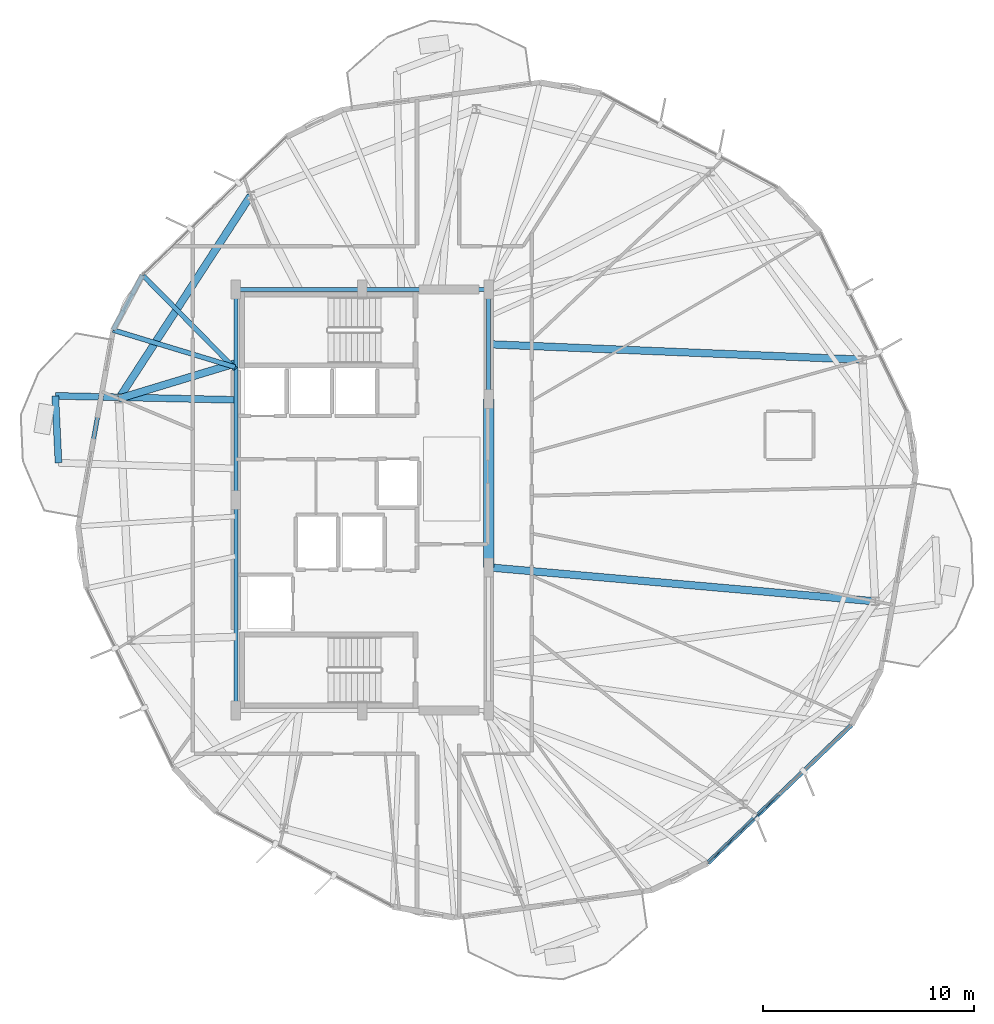
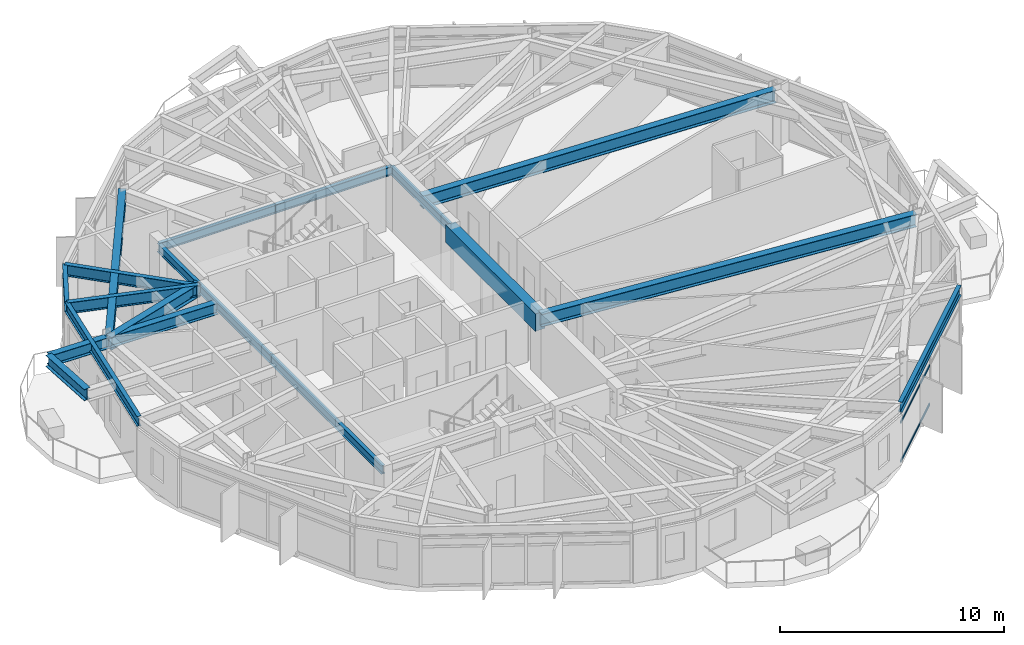
# One storey, part 9 of 26: 17 beams, 3 members, 1 element without a shape of its own.
"""IFC4 building model written with IfcOpenShell, lengths in metres."""

import ifcopenshell
import ifcopenshell.guid

model = None  # the IFC model being written
_history = None  # IfcOwnerHistory: only IFC2X3 demands one
_inside = {}  # id of a spatial element -> (the spatial element, [elements in it])
_under = {}  # id of a project, library or spatial element -> (it, [spatial elements below it])
_declared = {}  # id of a project -> (the project, [libraries it declares])
_typed = {}  # id of a type object -> (the type object, [elements of that type])
_made_of = {}  # id of a material, layer set ... -> (it, [elements and type objects made of it])


def new_model(schema):
    """Start an empty IFC model of exactly this schema.

    Asked for "IFC4X3", IfcOpenShell would pick the latest addendum, in which some entities
    have other attributes; the version numbers below select the first issue.
    IFC2X3 requires an IfcOwnerHistory on every rooted entity: one is made here for all.
    """
    global model, _history
    if schema == "IFC4X3":
        model = ifcopenshell.file(schema_version=(4, 3, 0, 0))
    else:
        model = ifcopenshell.file(schema=schema)
    _inside.clear()
    _under.clear()
    _declared.clear()
    _typed.clear()
    _made_of.clear()
    _history = None
    if model.schema == "IFC2X3":
        org = make("IfcOrganization", Name="unknown")
        user = make(
            "IfcPersonAndOrganization",
            ThePerson=make("IfcPerson", FamilyName="unknown"),
            TheOrganization=org,
        )
        app = make(
            "IfcApplication",
            ApplicationDeveloper=org,
            Version="unknown",
            ApplicationFullName="unknown",
            ApplicationIdentifier="unknown",
        )
        _history = make(
            "IfcOwnerHistory",
            OwningUser=user,
            OwningApplication=app,
            ChangeAction="ADDED",
            CreationDate=0,
        )
    return model


def make(cls, **values):
    """One entity of the class cls with the attributes given. An attribute that is None is left unset."""
    return model.create_entity(
        cls, **{name: value for name, value in values.items() if value is not None}
    )


def rooted(cls, **values):
    """An entity with a GlobalId (a new one), such as an element, a storey or a relation."""
    return make(cls, GlobalId=ifcopenshell.guid.new(), OwnerHistory=_history, **values)


def si_unit(unit_type, name, prefix=None):
    """IfcSIUnit, for example si_unit("LENGTHUNIT", "METRE", prefix="MILLI")."""
    return make("IfcSIUnit", UnitType=unit_type, Prefix=prefix, Name=name)


def assignment(units):
    """IfcUnitAssignment: the units of a project."""
    return None if units is None else make("IfcUnitAssignment", Units=units)


def point(xyz):
    """IfcCartesianPoint."""
    return None if xyz is None else make("IfcCartesianPoint", Coordinates=xyz)


def direction(xyz):
    """IfcDirection."""
    return None if xyz is None else make("IfcDirection", DirectionRatios=xyz)


def frame(location, z_axis=None, x_axis=None):
    """IfcAxis2Placement3D, a coordinate frame: its origin and axes. An axis left out is left unset."""
    return make(
        "IfcAxis2Placement3D",
        Location=point(location),
        Axis=direction(z_axis),
        RefDirection=direction(x_axis),
    )


def frame_2d(location, x_axis=None):
    """IfcAxis2Placement2D, a coordinate frame in the plane: its origin and x axis."""
    return make(
        "IfcAxis2Placement2D", Location=point(location), RefDirection=direction(x_axis)
    )


def origin():
    """The frame at (0, 0, 0) with its axes left unset."""
    return frame((0.0, 0.0, 0.0))


def origin_2d():
    """The frame at (0, 0) in the plane with its x axis left unset."""
    return frame_2d((0.0, 0.0))


def place(relative_to, where):
    """IfcLocalPlacement: puts the frame where relative to a parent placement (None: the world)."""
    return make(
        "IfcLocalPlacement", PlacementRelTo=relative_to, RelativePlacement=where
    )


def context(
    kind, dimensions, precision=None, world=None, true_north=None, identifier=None
):
    """IfcGeometricRepresentationContext, for example the 3D "Model" context."""
    return make(
        "IfcGeometricRepresentationContext",
        ContextIdentifier=identifier,
        ContextType=kind,
        CoordinateSpaceDimension=dimensions,
        Precision=precision,
        WorldCoordinateSystem=world,
        TrueNorth=true_north,
    )


def subcontext(parent, identifier, kind, view, scale=None):
    """IfcGeometricRepresentationSubContext, for example "Body" below "Model"."""
    return make(
        "IfcGeometricRepresentationSubContext",
        ContextIdentifier=identifier,
        ContextType=kind,
        ParentContext=parent,
        TargetScale=scale,
        TargetView=view,
    )


def project(units=None, contexts=None):
    """IfcProject with its units and contexts."""
    return rooted(
        "IfcProject",
        Name="project",
        RepresentationContexts=contexts,
        UnitsInContext=assignment(units),
    )


def spatial(cls, under=None, at=None, **own):
    """A site, building, storey or space (cls), placed at a placement, below another one or the project."""
    s = rooted(cls, ObjectPlacement=at, **own)
    if under is not None:
        _under.setdefault(under.id(), (under, []))[1].append(s)
    return s


def profile(cls, at=None, kind="AREA", **sizes):
    """A parametric profile (cls). Its sizes go by their IFC names, for example OverallWidth=200.0."""
    return make(cls, ProfileType=kind, Position=at, **sizes)


def rectangle(**sizes):
    """IfcRectangleProfileDef."""
    return profile("IfcRectangleProfileDef", **sizes)


def hollow_rectangle(**sizes):
    """IfcRectangleHollowProfileDef."""
    return profile("IfcRectangleHollowProfileDef", **sizes)


def i_section(**sizes):
    """IfcIShapeProfileDef."""
    return profile("IfcIShapeProfileDef", **sizes)


def extrude(swept, where, along, depth):
    """IfcExtrudedAreaSolid: the profile swept, set in the frame where, extruded along a direction by depth."""
    return make(
        "IfcExtrudedAreaSolid",
        SweptArea=swept,
        Position=where,
        ExtrudedDirection=direction(along),
        Depth=depth,
    )


def shape(context_of_items, identifier, shape_type, items):
    """IfcShapeRepresentation: the items that make up one representation, for example the "Body"."""
    return make(
        "IfcShapeRepresentation",
        ContextOfItems=context_of_items,
        RepresentationIdentifier=identifier,
        RepresentationType=shape_type,
        Items=items,
    )


def material(Name=None, Category=None):
    """IfcMaterial."""
    return make("IfcMaterial", Name=Name, Category=Category)


def layer(
    of_material, thickness, ventilated=None, Name=None, Category=None, Priority=None
):
    """IfcMaterialLayer: one layer of a wall or slab, of a material (None: an air gap)."""
    return make(
        "IfcMaterialLayer",
        Material=of_material,
        LayerThickness=thickness,
        IsVentilated=ventilated,
        Name=Name,
        Category=Category,
        Priority=Priority,
    )


def layer_set(layers, Name=None):
    """IfcMaterialLayerSet."""
    return make("IfcMaterialLayerSet", MaterialLayers=layers, LayerSetName=Name)


def material_profile(
    of_material, cross_section, Name=None, Category=None, Priority=None
):
    """IfcMaterialProfile: a cross section and its material."""
    return make(
        "IfcMaterialProfile",
        Name=Name,
        Material=of_material,
        Profile=cross_section,
        Priority=Priority,
        Category=Category,
    )


def profile_set(profiles, Name=None, composite=None):
    """IfcMaterialProfileSet."""
    return make(
        "IfcMaterialProfileSet",
        Name=Name,
        MaterialProfiles=profiles,
        CompositeProfile=composite,
    )


def made_of(thing, what):
    """Note that an element or type object is made of a material, layer set ...; save() writes the relation."""
    if what is not None:
        _made_of.setdefault(what.id(), (what, []))[1].append(thing)
    return thing


def type_object(cls, material=None, **own):
    """A type object (cls), such as IfcWallType, which elements share."""
    return made_of(rooted(cls, **own), material)


def element(
    cls,
    number,
    at=None,
    inside=None,
    cuts=None,
    type_object=None,
    material=None,
    context=None,
    identifier="Body",
    shape_type=None,
    held_by="IfcProductDefinitionShape",
    body=None,
    shapes=None,
    **own,
):
    """One element of the class cls, such as IfcWall. Its Tag is "e" and its number.

    at: its placement. inside: the storey or other place that contains it. cuts: it is an
    opening in that element (IfcRelVoidsElement). A single representation is given by context,
    identifier, shape_type and body (its items); several are given by shapes. held_by: the class
    of the entity that holds the representations. save() writes the other relations.
    """
    e = rooted(cls, Tag="e%d" % number, ObjectPlacement=at, **own)
    if body is not None:
        shapes = [shape(context, identifier, shape_type, body)]
    if shapes is not None:
        e.Representation = make(held_by, Representations=shapes)
    if inside is not None:
        _inside.setdefault(inside.id(), (inside, []))[1].append(e)
    if cuts is not None:
        rooted(
            "IfcRelVoidsElement", RelatingBuildingElement=cuts, RelatedOpeningElement=e
        )
    if type_object is not None:
        _typed.setdefault(type_object.id(), (type_object, []))[1].append(e)
    return made_of(e, material)


def aggregate(whole, parts):
    """IfcRelAggregates: a whole, such as a stair, and the parts it consists of."""
    return rooted("IfcRelAggregates", RelatingObject=whole, RelatedObjects=parts)


def save(model, path):
    """Write the relations noted so far, then the file.

    IfcRelAggregates (storeys below a building ...), IfcRelContainedInSpatialStructure (elements
    in a storey), IfcRelDefinesByType, IfcRelAssociatesMaterial and IfcRelDeclares: one each for
    every whole, place, type object, material and project.
    """
    for whole, parts in _under.values():
        aggregate(whole, parts)
    for where, things in _inside.values():
        rooted(
            "IfcRelContainedInSpatialStructure",
            RelatedElements=things,
            RelatingStructure=where,
        )
    for kind, things in _typed.values():
        rooted("IfcRelDefinesByType", RelatedObjects=things, RelatingType=kind)
    for what, things in _made_of.values():
        rooted("IfcRelAssociatesMaterial", RelatedObjects=things, RelatingMaterial=what)
    for by, libraries in _declared.values():
        rooted("IfcRelDeclares", RelatingContext=by, RelatedDefinitions=libraries)
    model.write(path)


model = new_model("IFC4")

# Units and contexts
model_context = context("Model", 3, precision=1e-05, world=origin(), true_north=direction((0.0, 1.0)))
body_context = subcontext(model_context, "Body", "Model", "MODEL_VIEW")
ifc_project = project(units=[si_unit("LENGTHUNIT", "METRE"), si_unit("AREAUNIT", "SQUARE_METRE"), si_unit("VOLUMEUNIT", "CUBIC_METRE"), si_unit("PLANEANGLEUNIT", "RADIAN"), si_unit("MASSUNIT", "GRAM", prefix="KILO")], contexts=[model_context])

# Site, building, storey
site_placement = place(None, origin())
site = spatial("IfcSite", under=ifc_project, at=site_placement, CompositionType="ELEMENT")
building_placement = place(site_placement, origin())
building = spatial("IfcBuilding", under=site, at=building_placement, Name="Soratama Intermodal Tower", CompositionType="ELEMENT")
storey_placement = place(building_placement, frame((0.0, 0.0, 194.199951171875)))
storey = spatial("IfcBuildingStorey", under=building, at=storey_placement, Name="L48", CompositionType="ELEMENT", Elevation=194.199951171875)

# Beams
ifc_material_1 = material(Name="Structural steel ASTM A992 Grade 50", Category="steel")
ifc_material_profile_1 = material_profile(ifc_material_1, i_section(OverallWidth=0.324951171875, OverallDepth=0.615966796875, WebThickness=0.013916015625, FlangeThickness=0.021484375, FilletRadius=0.013916015625, at=origin_2d()), Name="W24X117")
ifc_profile_set_1 = profile_set([ifc_material_profile_1], Name="Structural steel ASTM A992 Grade 50")
beam_type_1 = type_object("IfcBeamType", Name="BM-CANT-W24X117", PredefinedType="BEAM", material=ifc_profile_set_1)
beam_1_placement = place(storey_placement, frame((24.01708984375, 29.946044921875, 2.991943359375), z_axis=(0.047714580193, -0.99886101077, 0.0), x_axis=(0.99886101077, 0.047714580193, 0.0)))
element("IfcBeam", 1, at=beam_1_placement, inside=storey, type_object=beam_type_1, Name="BM-L48-CBHDR-3", PredefinedType="BEAM", context=body_context, shape_type="SweptSolid", body=[
    extrude(i_section(OverallWidth=0.324951171875, OverallDepth=0.615966796875, WebThickness=0.013916015625, FlangeThickness=0.021484375, FilletRadius=0.013916015625, at=origin_2d()), origin(), (0.0, 0.0, 1.0), 3.1826171875),
])
beam_2_placement = place(storey_placement, frame((32.56005859375, 29.757080078125, 2.991943359375), z_axis=(-0.999755457095, 0.022113932436, 0.0), x_axis=(-0.022113932436, -0.999755457095, 0.0)))
element("IfcBeam", 2, at=beam_2_placement, inside=storey, type_object=beam_type_1, Name="BM-L48-CANT-3-1", PredefinedType="BEAM", context=body_context, shape_type="SweptSolid", body=[
    extrude(i_section(OverallWidth=0.324951171875, OverallDepth=0.615966796875, WebThickness=0.013916015625, FlangeThickness=0.021484375, FilletRadius=0.013916015625, at=origin_2d()), origin(), (0.0, 0.0, 1.0), 8.545166015625),
])
ifc_material_2 = material(Name="Concrete f'c 56 MPa", Category="concrete")
ifc_material_profile_2 = material_profile(ifc_material_2, rectangle(XDim=0.5, YDim=0.949951171875, at=origin_2d()), Name="RC500X950")
ifc_profile_set_2 = profile_set([ifc_material_profile_2], Name="Concrete f'c 56 MPa")
beam_type_2 = type_object("IfcBeamType", Name="BM-CPL-RC500X950", PredefinedType="BEAM", material=ifc_profile_set_2)
beam_3_placement = place(storey_placement, frame((44.60009765625, 21.800048828125, 2.824951171875), z_axis=(0.0, 1.0, 0.0), x_axis=(-1.0, 0.0, 0.0)))
element("IfcBeam", 3, at=beam_3_placement, inside=storey, type_object=beam_type_2, Name="L48 Core Coupling Beam East", PredefinedType="BEAM", context=body_context, shape_type="SweptSolid", body=[
    extrude(rectangle(XDim=0.5, YDim=0.949951171875, at=origin_2d()), origin(), (0.0, 0.0, 1.0), 8.0),
])
ifc_material_3 = material(Name="Structural steel ASTM A992 Grade 50", Category="steel")
ifc_material_profile_3 = material_profile(ifc_material_3, i_section(OverallWidth=0.19091796875, OverallDepth=0.4599609375, WebThickness=0.010009765625, FlangeThickness=0.01611328125, FilletRadius=0.010986328125, at=origin_2d()), Name="W18X55")
ifc_profile_set_3 = profile_set([ifc_material_profile_3], Name="Structural steel ASTM A992 Grade 50")
beam_type_3 = type_object("IfcBeamType", Name="BM-FLR-W18X55", PredefinedType="BEAM", material=ifc_profile_set_3)
beam_4_placement = place(storey_placement, frame((44.60009765625, 29.800048828125, 3.070068359375), z_axis=(0.0, 1.0, 0.0), x_axis=(-1.0, 0.0, 0.0)))
element("IfcBeam", 4, at=beam_4_placement, inside=storey, type_object=beam_type_3, Name="BM-L48-CRING-05", PredefinedType="BEAM", context=body_context, shape_type="SweptSolid", body=[
    extrude(i_section(OverallWidth=0.19091796875, OverallDepth=0.4599609375, WebThickness=0.010009765625, FlangeThickness=0.01611328125, FilletRadius=0.010986328125, at=origin_2d()), origin(), (0.0, 0.0, 1.0), 5.199951171875),
])
for number, where, z_axis, x_axis, name in (
    (5, (44.60009765625, 35.0, 3.070068359375), (-1.0, 0.0, 0.0), (0.0, -1.0, 0.0), "BM-L48-CRING-06"),
    (6, (38.60009765625, 35.0, 3.070068359375), (-1.0, 0.0, 0.0), (0.0, -1.0, 0.0), "BM-L48-CRING-07"),
):
    element("IfcBeam", number, at=place(storey_placement, frame(where, z_axis=z_axis, x_axis=x_axis)), inside=storey, type_object=beam_type_3, Name=name, PredefinedType="BEAM", context=body_context, shape_type="SweptSolid", body=[
        extrude(i_section(OverallWidth=0.19091796875, OverallDepth=0.4599609375, WebThickness=0.010009765625, FlangeThickness=0.01611328125, FilletRadius=0.010986328125, at=origin_2d()), origin(), (0.0, 0.0, 1.0), 6.0),
    ])
for number, where, z_axis, x_axis, name in (
    (7, (32.60009765625, 35.0, 3.070068359375), (0.0, -1.0, 0.0), (1.0, 0.0, 0.0), "BM-L48-CRING-08"),
    (8, (32.60009765625, 25.0, 3.070068359375), (0.0, -1.0, 0.0), (1.0, 0.0, 0.0), "BM-L48-CRING-09"),
):
    element("IfcBeam", number, at=place(storey_placement, frame(where, z_axis=z_axis, x_axis=x_axis)), inside=storey, type_object=beam_type_3, Name=name, PredefinedType="BEAM", context=body_context, shape_type="SweptSolid", body=[
        extrude(i_section(OverallWidth=0.19091796875, OverallDepth=0.4599609375, WebThickness=0.010009765625, FlangeThickness=0.01611328125, FilletRadius=0.010986328125, at=origin_2d()), origin(), (0.0, 0.0, 1.0), 10.0),
    ])
ifc_material_4 = material(Name="Structural steel ASTM A992 Grade 50", Category="steel")
ifc_material_profile_4 = material_profile(ifc_material_4, i_section(OverallWidth=0.35498046875, OverallDepth=0.695068359375, WebThickness=0.015380859375, FlangeThickness=0.02490234375, FilletRadius=0.01611328125, at=origin_2d()), Name="W27X146")
ifc_profile_set_4 = profile_set([ifc_material_profile_4], Name="Structural steel ASTM A992 Grade 50")
beam_type_4 = type_object("IfcBeamType", Name="BM-RING-W27X146", PredefinedType="BEAM", material=ifc_profile_set_4)
beam_5_placement = place(storey_placement, frame((33.294921875, 39.455078125, 2.95263671875), z_axis=(-0.544637453764, -0.83867159482, 0.0), x_axis=(0.83867159482, -0.544637453764, 0.0)))
element("IfcBeam", 9, at=beam_5_placement, inside=storey, type_object=beam_type_4, Name="BM-L48-RING-04", PredefinedType="BEAM", context=body_context, shape_type="SweptSolid", body=[
    extrude(i_section(OverallWidth=0.35498046875, OverallDepth=0.695068359375, WebThickness=0.015380859375, FlangeThickness=0.02490234375, FilletRadius=0.01611328125, at=origin_2d()), origin(), (0.0, 0.0, 1.0), 11.49560546875),
])
beam_6_placement = place(storey_placement, frame((44.60009765625, 32.39990234375, 2.95263671875), z_axis=(0.999147788389, -0.041275864109, 0.0), x_axis=(0.041275864109, 0.999147788389, 0.0)))
element("IfcBeam", 10, at=beam_6_placement, inside=storey, type_object=beam_type_4, Name="BM-L48-RAD-01", PredefinedType="BEAM", context=body_context, shape_type="SweptSolid", body=[
    extrude(i_section(OverallWidth=0.35498046875, OverallDepth=0.695068359375, WebThickness=0.015380859375, FlangeThickness=0.02490234375, FilletRadius=0.01611328125, at=origin_2d()), origin(), (0.0, 0.0, 1.0), 17.780029296875),
])
beam_7_placement = place(storey_placement, frame((32.60009765625, 31.5, 2.95263671875), z_axis=(-0.957056879321, -0.289900206526, 0.0), x_axis=(0.289900206526, -0.957056879321, 0.0)))
element("IfcBeam", 11, at=beam_7_placement, inside=storey, type_object=beam_type_4, Name="BM-L48-RAD-05", PredefinedType="BEAM", context=body_context, shape_type="SweptSolid", body=[
    extrude(i_section(OverallWidth=0.35498046875, OverallDepth=0.695068359375, WebThickness=0.015380859375, FlangeThickness=0.02490234375, FilletRadius=0.01611328125, at=origin_2d()), origin(), (0.0, 0.0, 1.0), 5.81591796875),
])
beam_8_placement = place(storey_placement, frame((44.60009765625, 21.800048828125, 2.95263671875), z_axis=(0.996160716813, -0.087543282317, 0.0), x_axis=(0.087543282317, 0.996160716813, 0.0)))
element("IfcBeam", 12, at=beam_8_placement, inside=storey, type_object=beam_type_4, Name="BM-L48-RAD-10", PredefinedType="BEAM", context=body_context, shape_type="SweptSolid", body=[
    extrude(i_section(OverallWidth=0.35498046875, OverallDepth=0.695068359375, WebThickness=0.015380859375, FlangeThickness=0.02490234375, FilletRadius=0.01611328125, at=origin_2d()), origin(), (0.0, 0.0, 1.0), 18.436767578125),
])
ifc_material_5 = material(Name="Structural steel ASTM A992 Grade 50", Category="steel")
ifc_material_profile_5 = material_profile(ifc_material_5, i_section(OverallWidth=0.2099609375, OverallDepth=0.537109375, WebThickness=0.010986328125, FlangeThickness=0.017333984375, FilletRadius=0.012939453125, at=origin_2d()), Name="W21X68")
ifc_profile_set_5 = profile_set([ifc_material_profile_5], Name="Structural steel ASTM A992 Grade 50")
beam_type_5 = type_object("IfcBeamType", Name="BM-SPN-W21X68", PredefinedType="SPANDREL", material=ifc_profile_set_5)
beam_9_placement = place(storey_placement, frame((28.160888671875, 35.68798828125, 3.031494140625), z_axis=(-0.471707327185, -0.881755180013, 0.0), x_axis=(0.881755180013, -0.471707327185, 0.0)))
element("IfcBeam", 13, at=beam_9_placement, inside=storey, type_object=beam_type_5, Name="BS-L48-CRN03", PredefinedType="SPANDREL", context=body_context, shape_type="SweptSolid", body=[
    extrude(i_section(OverallWidth=0.2099609375, OverallDepth=0.537109375, WebThickness=0.010986328125, FlangeThickness=0.017333984375, FilletRadius=0.012939453125, at=origin_2d()), origin(), (0.0, 0.0, 1.0), 2.965576171875),
])
beam_10_placement = place(storey_placement, frame((26.761962890625, 33.072998046875, 3.031494140625), z_axis=(-0.176094832495, -0.984373206649, 0.0), x_axis=(0.984373206649, -0.176094832495, 0.0)))
element("IfcBeam", 14, at=beam_10_placement, inside=storey, type_object=beam_type_5, Name="BS-L48-F04", PredefinedType="SPANDREL", context=body_context, shape_type="SweptSolid", body=[
    extrude(i_section(OverallWidth=0.2099609375, OverallDepth=0.537109375, WebThickness=0.010986328125, FlangeThickness=0.017333984375, FilletRadius=0.012939453125, at=origin_2d()), origin(), (0.0, 0.0, 1.0), 9.471923828125),
])
beam_11_placement = place(storey_placement, frame((55.010009765625, 7.7490234375, 3.031494140625), z_axis=(0.72101531682, 0.692919124365, 0.0), x_axis=(-0.692919124365, 0.72101531682, 0.0)))
element("IfcBeam", 15, at=beam_11_placement, inside=storey, type_object=beam_type_5, Name="BS-L48-F08", PredefinedType="SPANDREL", context=body_context, shape_type="SweptSolid", body=[
    extrude(i_section(OverallWidth=0.2099609375, OverallDepth=0.537109375, WebThickness=0.010986328125, FlangeThickness=0.017333984375, FilletRadius=0.012939453125, at=origin_2d()), origin(), (0.0, 0.0, 1.0), 9.471435546875),
])
ifc_material_6 = material(Name="Structural steel ASTM A992 Grade 50", Category="steel")
ifc_material_profile_6 = material_profile(ifc_material_6, i_section(OverallWidth=0.22900390625, OverallDepth=0.612060546875, WebThickness=0.011962890625, FlangeThickness=0.01953125, FilletRadius=0.012939453125, at=origin_2d()), Name="W24X84")
ifc_profile_set_6 = profile_set([ifc_material_profile_6], Name="Structural steel ASTM A992 Grade 50")
beam_type_6 = type_object("IfcBeamType", Name="BM-TIE-W24X84", PredefinedType="BEAM", material=ifc_profile_set_6)
beam_12_placement = place(storey_placement, frame((32.572021484375, 31.215087890625, 2.994140625), z_axis=(-0.702173543751, 0.712005838779, 0.0), x_axis=(-0.712005838779, -0.702173543751, 0.0)))
element("IfcBeam", 16, at=beam_12_placement, inside=storey, type_object=beam_type_6, Name="BM-L48-TIE1-03", PredefinedType="BEAM", context=body_context, shape_type="SweptSolid", body=[
    extrude(i_section(OverallWidth=0.22900390625, OverallDepth=0.612060546875, WebThickness=0.011962890625, FlangeThickness=0.01953125, FilletRadius=0.012939453125, at=origin_2d()), origin(), (0.0, 0.0, 1.0), 6.2822265625),
])
beam_13_placement = place(storey_placement, frame((32.56201171875, 31.31298828125, 2.994140625), z_axis=(-0.956913558276, 0.290372936045, 0.0), x_axis=(-0.290372936045, -0.956913558276, 0.0)))
element("IfcBeam", 17, at=beam_13_placement, inside=storey, type_object=beam_type_6, Name="BM-L48-TIE0-04", PredefinedType="BEAM", context=body_context, shape_type="SweptSolid", body=[
    extrude(i_section(OverallWidth=0.22900390625, OverallDepth=0.612060546875, WebThickness=0.011962890625, FlangeThickness=0.01953125, FilletRadius=0.012939453125, at=origin_2d()), origin(), (0.0, 0.0, 1.0), 6.061279296875),
])

# Curtain wall, members
ifc_material_7 = material(Name="Double-glazed aluminium curtain wall", Category="aluminium")
ifc_layer = layer(ifc_material_7, 0.159912109375)
ifc_layer_set = layer_set([ifc_layer], Name="Double-glazed aluminium curtain wall")
curtain_wall_type = type_object("IfcCurtainWallType", Name="CW-SYS-5", PredefinedType="NOTDEFINED", material=ifc_layer_set)
curtain_wall_placement = place(storey_placement, origin())
curtain_wall = element("IfcCurtainWall", 18, at=curtain_wall_placement, inside=storey, type_object=curtain_wall_type, Name="L48 Faceted Curtain Wall F08", PredefinedType="NOTDEFINED")
ifc_material_8 = material(Name="Anodised aluminium AA 6063-T6", Category="aluminium")
ifc_material_profile_7 = material_profile(ifc_material_8, hollow_rectangle(XDim=0.06005859375, YDim=0.1298828125, WallThickness=0.0048828125, InnerFilletRadius=0.0048828125, OuterFilletRadius=0.010009765625, at=origin_2d()), Name="CWT130X60X5")
ifc_profile_set_7 = profile_set([ifc_material_profile_7], Name="Anodised aluminium AA 6063-T6")
member_type = type_object("IfcMemberType", Name="TT-CWT-2", PredefinedType="USERDEFINED", material=ifc_profile_set_7)
member_1_placement = place(storey_placement, frame((55.053466796875, 7.79052734375, 0.030029296875), z_axis=(0.721024909665, 0.692909142415, 0.0), x_axis=(-0.692909142415, 0.721024909665, 0.0)))
member_1 = element("IfcMember", 19, at=member_1_placement, type_object=member_type, Name="CW-5 transom 1.1", ObjectType="TRANSOM", PredefinedType="USERDEFINED", context=body_context, shape_type="SweptSolid", body=[
    extrude(hollow_rectangle(XDim=0.06005859375, YDim=0.1298828125, WallThickness=0.0048828125, InnerFilletRadius=0.0048828125, OuterFilletRadius=0.010009765625, at=origin_2d()), origin(), (0.0, 0.0, 1.0), 4.6455078125),
])
member_2_placement = place(storey_placement, frame((55.053466796875, 7.79052734375, 2.150146484375), z_axis=(0.721024909665, 0.692909142415, 0.0), x_axis=(-0.692909142415, 0.721024909665, 0.0)))
member_2 = element("IfcMember", 20, at=member_2_placement, type_object=member_type, Name="CW-5 transom 1.2", ObjectType="TRANSOM", PredefinedType="USERDEFINED", context=body_context, shape_type="SweptSolid", body=[
    extrude(hollow_rectangle(XDim=0.06005859375, YDim=0.1298828125, WallThickness=0.0048828125, InnerFilletRadius=0.0048828125, OuterFilletRadius=0.010009765625, at=origin_2d()), origin(), (0.0, 0.0, 1.0), 4.6455078125),
])
member_3_placement = place(storey_placement, frame((55.053466796875, 7.79052734375, 2.649169921875), z_axis=(0.721024909665, 0.692909142415, 0.0), x_axis=(-0.692909142415, 0.721024909665, 0.0)))
member_3 = element("IfcMember", 21, at=member_3_placement, type_object=member_type, Name="CW-5 transom 1.3", ObjectType="TRANSOM", PredefinedType="USERDEFINED", context=body_context, shape_type="SweptSolid", body=[
    extrude(hollow_rectangle(XDim=0.06005859375, YDim=0.1298828125, WallThickness=0.0048828125, InnerFilletRadius=0.0048828125, OuterFilletRadius=0.010009765625, at=origin_2d()), origin(), (0.0, 0.0, 1.0), 4.6455078125),
])
aggregate(curtain_wall, [member_1, member_2, member_3])

save(model, "model.ifc")
